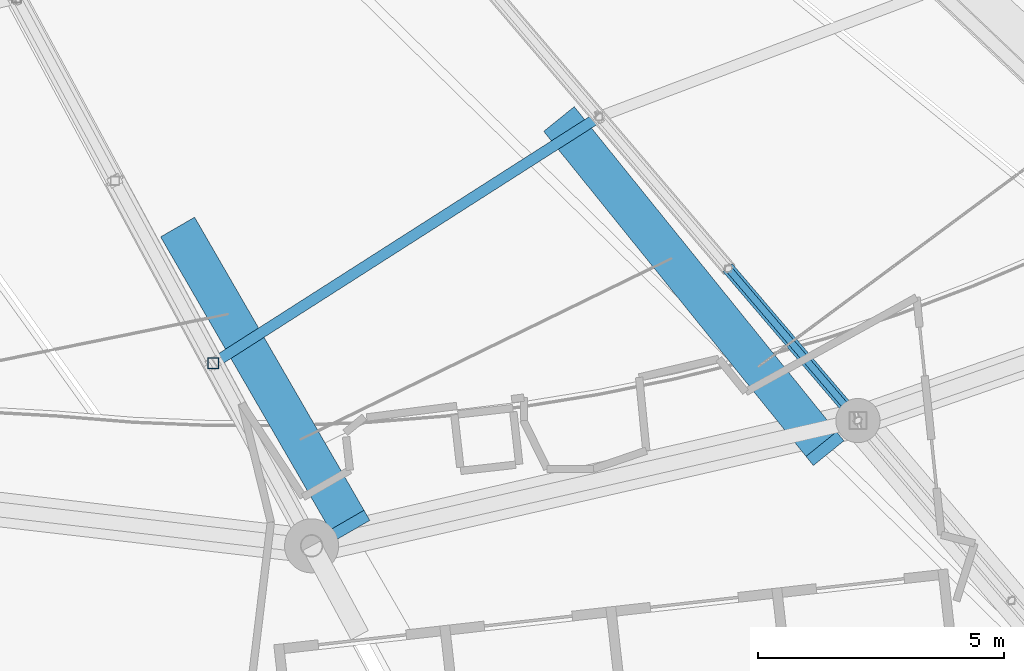
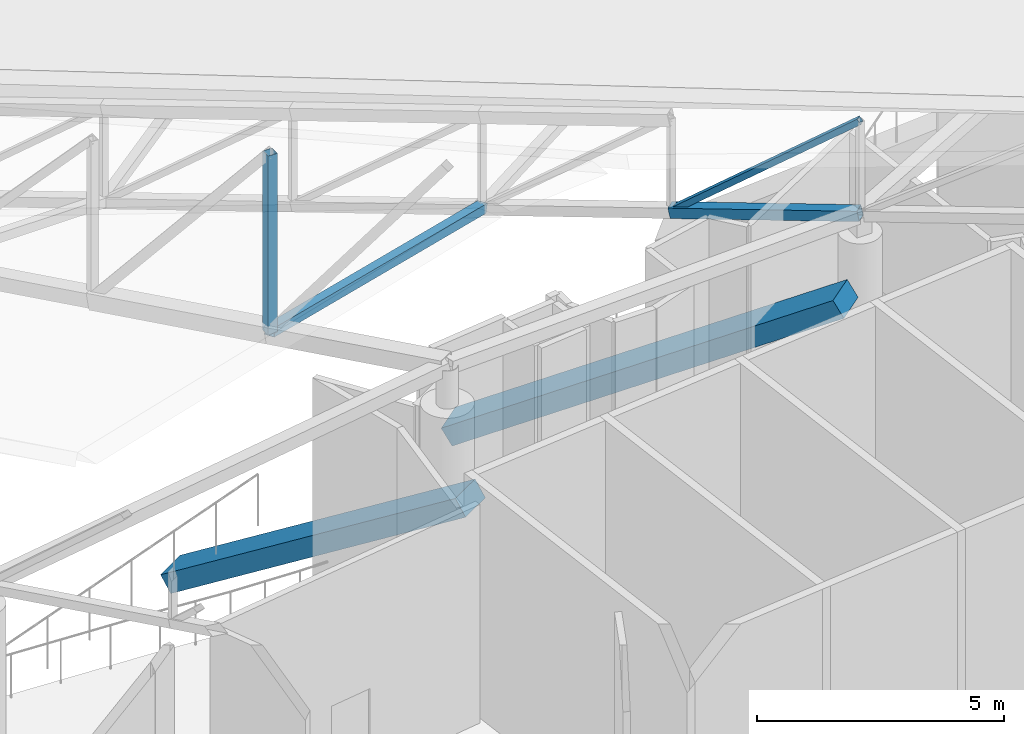
# One storey, part 75 of 344: 4 members, 2 beams.
"""IFC4 building model written with IfcOpenShell, lengths in metres."""

import ifcopenshell
import ifcopenshell.guid

model = None  # the IFC model being written
_history = None  # IfcOwnerHistory: only IFC2X3 demands one
_inside = {}  # id of a spatial element -> (the spatial element, [elements in it])
_under = {}  # id of a project, library or spatial element -> (it, [spatial elements below it])
_declared = {}  # id of a project -> (the project, [libraries it declares])
_typed = {}  # id of a type object -> (the type object, [elements of that type])
_made_of = {}  # id of a material, layer set ... -> (it, [elements and type objects made of it])


def new_model(schema):
    """Start an empty IFC model of exactly this schema.

    Asked for "IFC4X3", IfcOpenShell would pick the latest addendum, in which some entities
    have other attributes; the version numbers below select the first issue.
    IFC2X3 requires an IfcOwnerHistory on every rooted entity: one is made here for all.
    """
    global model, _history
    if schema == "IFC4X3":
        model = ifcopenshell.file(schema_version=(4, 3, 0, 0))
    else:
        model = ifcopenshell.file(schema=schema)
    _inside.clear()
    _under.clear()
    _declared.clear()
    _typed.clear()
    _made_of.clear()
    _history = None
    if model.schema == "IFC2X3":
        org = make("IfcOrganization", Name="unknown")
        user = make(
            "IfcPersonAndOrganization",
            ThePerson=make("IfcPerson", FamilyName="unknown"),
            TheOrganization=org,
        )
        app = make(
            "IfcApplication",
            ApplicationDeveloper=org,
            Version="unknown",
            ApplicationFullName="unknown",
            ApplicationIdentifier="unknown",
        )
        _history = make(
            "IfcOwnerHistory",
            OwningUser=user,
            OwningApplication=app,
            ChangeAction="ADDED",
            CreationDate=0,
        )
    return model


def make(cls, **values):
    """One entity of the class cls with the attributes given. An attribute that is None is left unset."""
    return model.create_entity(
        cls, **{name: value for name, value in values.items() if value is not None}
    )


def rooted(cls, **values):
    """An entity with a GlobalId (a new one), such as an element, a storey or a relation."""
    return make(cls, GlobalId=ifcopenshell.guid.new(), OwnerHistory=_history, **values)


def si_unit(unit_type, name, prefix=None):
    """IfcSIUnit, for example si_unit("LENGTHUNIT", "METRE", prefix="MILLI")."""
    return make("IfcSIUnit", UnitType=unit_type, Prefix=prefix, Name=name)


def assignment(units):
    """IfcUnitAssignment: the units of a project."""
    return None if units is None else make("IfcUnitAssignment", Units=units)


def point(xyz):
    """IfcCartesianPoint."""
    return None if xyz is None else make("IfcCartesianPoint", Coordinates=xyz)


def direction(xyz):
    """IfcDirection."""
    return None if xyz is None else make("IfcDirection", DirectionRatios=xyz)


def frame(location, z_axis=None, x_axis=None):
    """IfcAxis2Placement3D, a coordinate frame: its origin and axes. An axis left out is left unset."""
    return make(
        "IfcAxis2Placement3D",
        Location=point(location),
        Axis=direction(z_axis),
        RefDirection=direction(x_axis),
    )


def frame_2d(location, x_axis=None):
    """IfcAxis2Placement2D, a coordinate frame in the plane: its origin and x axis."""
    return make(
        "IfcAxis2Placement2D", Location=point(location), RefDirection=direction(x_axis)
    )


def origin():
    """The frame at (0, 0, 0) with its axes left unset."""
    return frame((0.0, 0.0, 0.0))


def origin_2d():
    """The frame at (0, 0) in the plane with its x axis left unset."""
    return frame_2d((0.0, 0.0))


def place(relative_to, where):
    """IfcLocalPlacement: puts the frame where relative to a parent placement (None: the world)."""
    return make(
        "IfcLocalPlacement", PlacementRelTo=relative_to, RelativePlacement=where
    )


def context(
    kind, dimensions, precision=None, world=None, true_north=None, identifier=None
):
    """IfcGeometricRepresentationContext, for example the 3D "Model" context."""
    return make(
        "IfcGeometricRepresentationContext",
        ContextIdentifier=identifier,
        ContextType=kind,
        CoordinateSpaceDimension=dimensions,
        Precision=precision,
        WorldCoordinateSystem=world,
        TrueNorth=true_north,
    )


def subcontext(parent, identifier, kind, view, scale=None):
    """IfcGeometricRepresentationSubContext, for example "Body" below "Model"."""
    return make(
        "IfcGeometricRepresentationSubContext",
        ContextIdentifier=identifier,
        ContextType=kind,
        ParentContext=parent,
        TargetScale=scale,
        TargetView=view,
    )


def project(units=None, contexts=None):
    """IfcProject with its units and contexts."""
    return rooted(
        "IfcProject",
        Name="project",
        RepresentationContexts=contexts,
        UnitsInContext=assignment(units),
    )


def spatial(cls, under=None, at=None, **own):
    """A site, building, storey or space (cls), placed at a placement, below another one or the project."""
    s = rooted(cls, ObjectPlacement=at, **own)
    if under is not None:
        _under.setdefault(under.id(), (under, []))[1].append(s)
    return s


def profile(cls, at=None, kind="AREA", **sizes):
    """A parametric profile (cls). Its sizes go by their IFC names, for example OverallWidth=200.0."""
    return make(cls, ProfileType=kind, Position=at, **sizes)


def rectangle(**sizes):
    """IfcRectangleProfileDef."""
    return profile("IfcRectangleProfileDef", **sizes)


def hollow_rectangle(**sizes):
    """IfcRectangleHollowProfileDef."""
    return profile("IfcRectangleHollowProfileDef", **sizes)


def extrude(swept, where, along, depth):
    """IfcExtrudedAreaSolid: the profile swept, set in the frame where, extruded along a direction by depth."""
    return make(
        "IfcExtrudedAreaSolid",
        SweptArea=swept,
        Position=where,
        ExtrudedDirection=direction(along),
        Depth=depth,
    )


def shape(context_of_items, identifier, shape_type, items):
    """IfcShapeRepresentation: the items that make up one representation, for example the "Body"."""
    return make(
        "IfcShapeRepresentation",
        ContextOfItems=context_of_items,
        RepresentationIdentifier=identifier,
        RepresentationType=shape_type,
        Items=items,
    )


def material(Name=None, Category=None):
    """IfcMaterial."""
    return make("IfcMaterial", Name=Name, Category=Category)


def material_profile(
    of_material, cross_section, Name=None, Category=None, Priority=None
):
    """IfcMaterialProfile: a cross section and its material."""
    return make(
        "IfcMaterialProfile",
        Name=Name,
        Material=of_material,
        Profile=cross_section,
        Priority=Priority,
        Category=Category,
    )


def profile_set(profiles, Name=None, composite=None):
    """IfcMaterialProfileSet."""
    return make(
        "IfcMaterialProfileSet",
        Name=Name,
        MaterialProfiles=profiles,
        CompositeProfile=composite,
    )


def made_of(thing, what):
    """Note that an element or type object is made of a material, layer set ...; save() writes the relation."""
    if what is not None:
        _made_of.setdefault(what.id(), (what, []))[1].append(thing)
    return thing


def type_object(cls, material=None, **own):
    """A type object (cls), such as IfcWallType, which elements share."""
    return made_of(rooted(cls, **own), material)


def element(
    cls,
    number,
    at=None,
    inside=None,
    cuts=None,
    type_object=None,
    material=None,
    context=None,
    identifier="Body",
    shape_type=None,
    held_by="IfcProductDefinitionShape",
    body=None,
    shapes=None,
    **own,
):
    """One element of the class cls, such as IfcWall. Its Tag is "e" and its number.

    at: its placement. inside: the storey or other place that contains it. cuts: it is an
    opening in that element (IfcRelVoidsElement). A single representation is given by context,
    identifier, shape_type and body (its items); several are given by shapes. held_by: the class
    of the entity that holds the representations. save() writes the other relations.
    """
    e = rooted(cls, Tag="e%d" % number, ObjectPlacement=at, **own)
    if body is not None:
        shapes = [shape(context, identifier, shape_type, body)]
    if shapes is not None:
        e.Representation = make(held_by, Representations=shapes)
    if inside is not None:
        _inside.setdefault(inside.id(), (inside, []))[1].append(e)
    if cuts is not None:
        rooted(
            "IfcRelVoidsElement", RelatingBuildingElement=cuts, RelatedOpeningElement=e
        )
    if type_object is not None:
        _typed.setdefault(type_object.id(), (type_object, []))[1].append(e)
    return made_of(e, material)


def aggregate(whole, parts):
    """IfcRelAggregates: a whole, such as a stair, and the parts it consists of."""
    return rooted("IfcRelAggregates", RelatingObject=whole, RelatedObjects=parts)


def save(model, path):
    """Write the relations noted so far, then the file.

    IfcRelAggregates (storeys below a building ...), IfcRelContainedInSpatialStructure (elements
    in a storey), IfcRelDefinesByType, IfcRelAssociatesMaterial and IfcRelDeclares: one each for
    every whole, place, type object, material and project.
    """
    for whole, parts in _under.values():
        aggregate(whole, parts)
    for where, things in _inside.values():
        rooted(
            "IfcRelContainedInSpatialStructure",
            RelatedElements=things,
            RelatingStructure=where,
        )
    for kind, things in _typed.values():
        rooted("IfcRelDefinesByType", RelatedObjects=things, RelatingType=kind)
    for what, things in _made_of.values():
        rooted("IfcRelAssociatesMaterial", RelatedObjects=things, RelatingMaterial=what)
    for by, libraries in _declared.values():
        rooted("IfcRelDeclares", RelatingContext=by, RelatedDefinitions=libraries)
    model.write(path)


model = new_model("IFC4")

# Units and contexts
model_context = context("Model", 3, precision=1e-05, world=origin(), true_north=direction((0.0, 1.0)))
body_context = subcontext(model_context, "Body", "Model", "MODEL_VIEW")
ifc_project = project(units=[si_unit("LENGTHUNIT", "METRE"), si_unit("AREAUNIT", "SQUARE_METRE"), si_unit("VOLUMEUNIT", "CUBIC_METRE"), si_unit("PLANEANGLEUNIT", "RADIAN"), si_unit("MASSUNIT", "GRAM", prefix="KILO")], contexts=[model_context])

# Site, building, storey
site_placement = place(None, origin())
site = spatial("IfcSite", under=ifc_project, at=site_placement, CompositionType="ELEMENT")
building_placement = place(site_placement, origin())
building = spatial("IfcBuilding", under=site, at=building_placement, Name="Meseta Stadium", CompositionType="ELEMENT")
storey_placement = place(building_placement, frame((0.0, 0.0, 24.0)))
storey = spatial("IfcBuildingStorey", under=building, at=storey_placement, Name="L04", CompositionType="ELEMENT", Elevation=24.0)

# Beams
ifc_material_1 = material(Name="Concrete C40/50", Category="concrete")
ifc_material_profile_1 = material_profile(ifc_material_1, rectangle(XDim=0.800048828125, YDim=0.449951171875, at=origin_2d()), Name="RC 800x450")
ifc_profile_set_1 = profile_set([ifc_material_profile_1], Name="Concrete C40/50")
beam_type = type_object("IfcBeamType", Name="RC raker upper rear 800x450", PredefinedType="USERDEFINED", material=ifc_profile_set_1)
beam_1_placement = place(storey_placement, frame((42.015380859375, -84.707275390625, -1.177001953125), z_axis=(0.424672671023, -0.734687631023, 0.529043672401), x_axis=(0.865769864994, 0.5004423452, 0.0)))
element("IfcBeam", 1, at=beam_1_placement, inside=storey, type_object=beam_type, Name="Raker upper rear frame 50 upper tier", ObjectType="RAKER", PredefinedType="USERDEFINED", context=body_context, shape_type="SweptSolid", body=[
    extrude(rectangle(XDim=0.800048828125, YDim=0.449951171875, at=origin_2d()), origin(), (0.0, 0.0, 1.0), 8.116943359375),
])
beam_2_placement = place(storey_placement, frame((49.791015625, -82.498779296875, -1.587646484375), z_axis=(0.533000219927, -0.660412282013, 0.528929469139), x_axis=(0.778177101926, 0.628044901292, 0.0)))
element("IfcBeam", 2, at=beam_2_placement, inside=storey, type_object=beam_type, Name="Raker upper rear frame 51 upper tier", ObjectType="RAKER", PredefinedType="USERDEFINED", context=body_context, shape_type="SweptSolid", body=[
    extrude(rectangle(XDim=0.800048828125, YDim=0.449951171875, at=origin_2d()), origin(), (0.0, 0.0, 1.0), 10.015625),
])

# Members
ifc_material_2 = material(Name="Steel S355", Category="steel")
ifc_material_profile_2 = material_profile(ifc_material_2, hollow_rectangle(XDim=0.139892578125, YDim=0.139892578125, WallThickness=0.0048828125, at=origin_2d()), Name="SHS 140x140x5")
ifc_profile_set_2 = profile_set([ifc_material_profile_2], Name="Steel S355")
member_type_1 = type_object("IfcMemberType", Name="SHS 140x140x5 diagonal", PredefinedType="BRACE", material=ifc_profile_set_2)
member_1_placement = place(storey_placement, frame((53.164794921875, -85.452392578125, 4.373291015625), z_axis=(0.511339991077, -0.599564144468, 0.615673818019), x_axis=(0.760867131587, 0.648907703816, 0.0)))
element("IfcMember", 3, at=member_1_placement, inside=storey, type_object=member_type_1, Name="ROOF TRUSS RT-51 diagonal", PredefinedType="BRACE", context=body_context, shape_type="SweptSolid", body=[
    extrude(hollow_rectangle(XDim=0.139892578125, YDim=0.139892578125, WallThickness=0.0048828125, at=origin_2d()), origin(), (0.0, 0.0, 1.0), 5.152587890625),
])
ifc_material_3 = material(Name="Steel S355", Category="steel")
ifc_material_profile_3 = material_profile(ifc_material_3, hollow_rectangle(XDim=0.219970703125, YDim=0.219970703125, WallThickness=0.008056640625, at=origin_2d()), Name="SHS 220x220x8")
ifc_profile_set_3 = profile_set([ifc_material_profile_3], Name="Steel S355")
member_type_2 = type_object("IfcMemberType", Name="SHS 220x220x8 post", PredefinedType="POST", material=ifc_profile_set_3)
member_2_placement = place(storey_placement, frame((42.682373046875, -87.3779296875, 6.225830078125), z_axis=(0.0, 0.0, 1.0), x_axis=(1.0, 0.0, 0.0)))
element("IfcMember", 4, at=member_2_placement, inside=storey, type_object=member_type_2, Name="ROOF TRUSS RT-50 post", PredefinedType="POST", context=body_context, shape_type="SweptSolid", body=[
    extrude(hollow_rectangle(XDim=0.219970703125, YDim=0.219970703125, WallThickness=0.008056640625, at=origin_2d()), origin(), (0.0, 0.0, 1.0), 4.41748046875),
])
ifc_material_4 = material(Name="Steel S355", Category="steel")
ifc_material_profile_4 = material_profile(ifc_material_4, hollow_rectangle(XDim=0.219970703125, YDim=0.219970703125, WallThickness=0.008056640625, at=origin_2d()), Name="SHS 220x220x8")
ifc_profile_set_4 = profile_set([ifc_material_profile_4], Name="Steel S355")
member_type_3 = type_object("IfcMemberType", Name="SHS 220x220x8 strut", PredefinedType="STRUT", material=ifc_profile_set_4)
member_3_placement = place(storey_placement, frame((42.682373046875, -87.3779296875, 6.225830078125), z_axis=(0.80874601122, 0.516797381132, -0.280803055879), x_axis=(-0.538462185972, 0.842649674703, 0.0)))
element("IfcMember", 5, at=member_3_placement, inside=storey, type_object=member_type_3, Name="ROOF TRUSS STRUT RT-50/51", PredefinedType="STRUT", context=body_context, shape_type="SweptSolid", body=[
    extrude(hollow_rectangle(XDim=0.219970703125, YDim=0.219970703125, WallThickness=0.008056640625, at=origin_2d()), origin(), (0.0, 0.0, 1.0), 9.703857421875),
])
ifc_material_5 = material(Name="Steel S355", Category="steel")
ifc_material_profile_5 = material_profile(ifc_material_5, hollow_rectangle(XDim=0.25, YDim=0.25, WallThickness=0.010009765625, at=origin_2d()), Name="SHS 250x250x10")
ifc_profile_set_5 = profile_set([ifc_material_profile_5], Name="Steel S355")
member_type_4 = type_object("IfcMemberType", Name="SHS 250x250x10 bottom chord", PredefinedType="CHORD", material=ifc_profile_set_5)
member_4_placement = place(storey_placement, frame((53.164794921875, -85.452392578125, 4.373291015625), z_axis=(0.634431456669, -0.74389322208, 0.210046663703), x_axis=(0.760867131587, 0.648907703816, 0.0)))
element("IfcMember", 6, at=member_4_placement, inside=storey, type_object=member_type_4, Name="ROOF TRUSS RT-51 bottom chord", PredefinedType="CHORD", context=body_context, shape_type="SweptSolid", body=[
    extrude(hollow_rectangle(XDim=0.25, YDim=0.25, WallThickness=0.010009765625, at=origin_2d()), origin(), (0.0, 0.0, 1.0), 4.153076171875),
])

save(model, "model.ifc")
